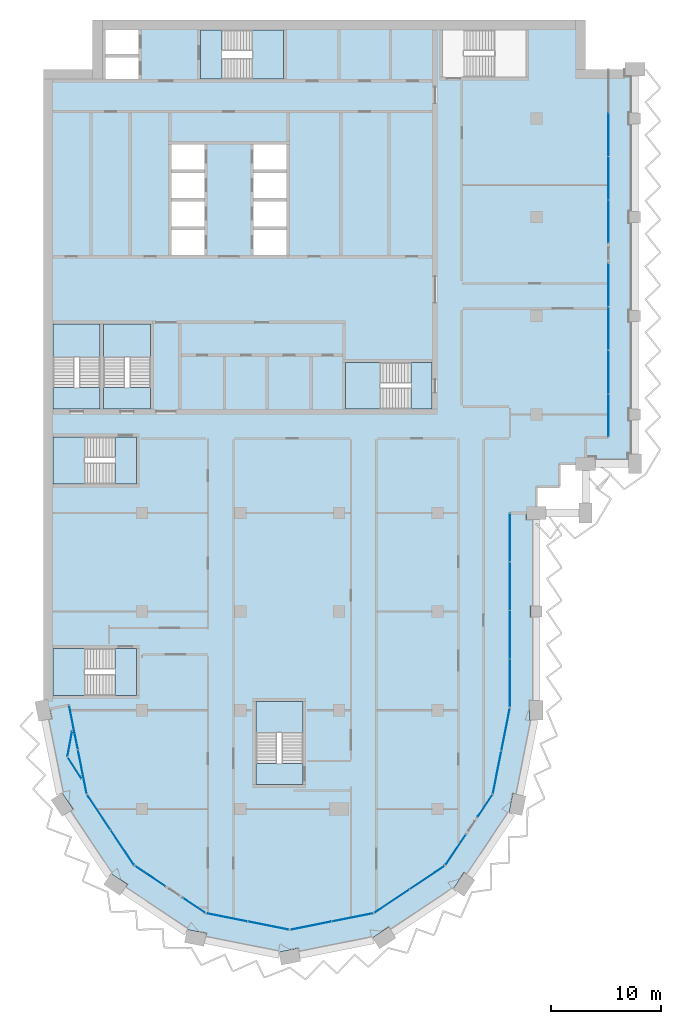
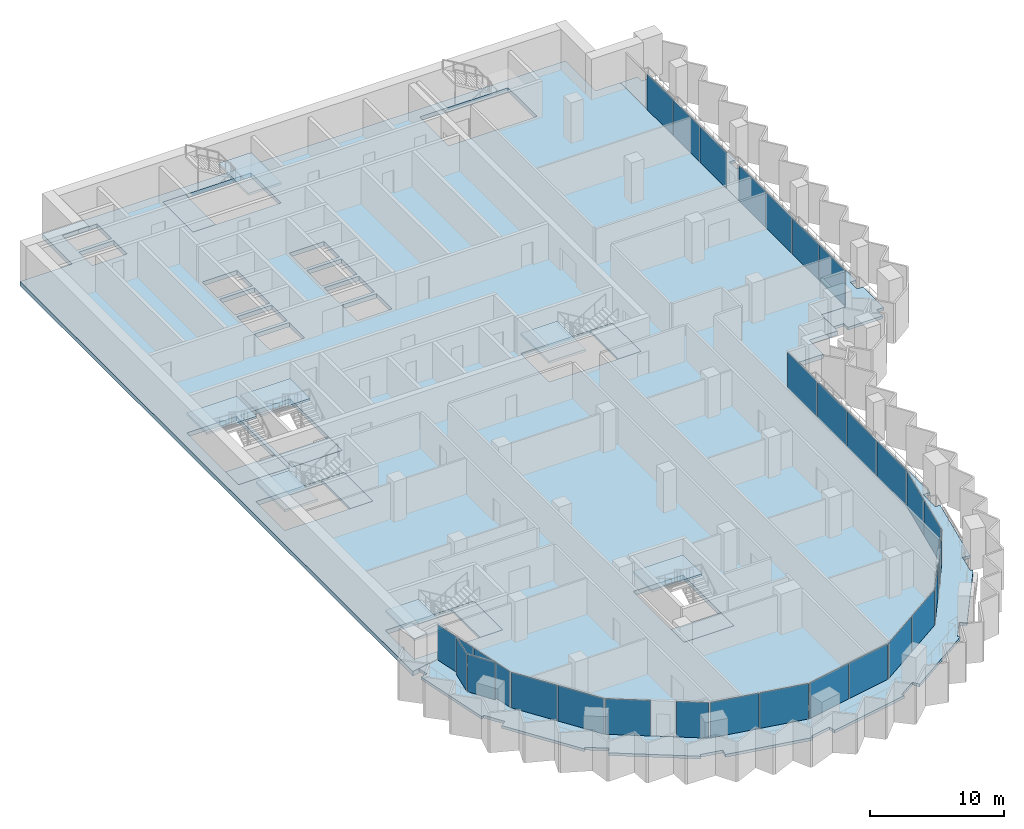
# One storey, part 7 of 19: 29 plates, 17 slabs, 22 elements without a shape of their own.
"""IFC4 building model written with IfcOpenShell, lengths in metres."""

from ifc_helpers import new_model, si_unit, direction, frame, origin, origin_2d, place, context, subcontext, project, spatial, polyline, rectangle, outline, extrude, material, layer, layer_set, type_object, element, aggregate, save


model = new_model("IFC4")

# Units and contexts
model_context = context("Model", 3, precision=1e-05, world=origin(), true_north=direction((0.0, 1.0)))
body_context = subcontext(model_context, "Body", "Model", "MODEL_VIEW")
ifc_project = project(units=[si_unit("LENGTHUNIT", "METRE"), si_unit("AREAUNIT", "SQUARE_METRE"), si_unit("VOLUMEUNIT", "CUBIC_METRE"), si_unit("PLANEANGLEUNIT", "RADIAN"), si_unit("MASSUNIT", "GRAM", prefix="KILO")], contexts=[model_context])

# Site, building, storey
site_placement = place(None, origin())
site = spatial("IfcSite", under=ifc_project, at=site_placement, CompositionType="ELEMENT")
building_placement = place(site_placement, origin())
building = spatial("IfcBuilding", under=site, at=building_placement, Name="Hunhe Ridgeline Campus", CompositionType="ELEMENT")
storey_placement = place(building_placement, frame((0.0, 0.0, 216.10009765625)))
storey = spatial("IfcBuildingStorey", under=building, at=storey_placement, Name="L55", CompositionType="ELEMENT", Elevation=216.10009765625)

# Curtain wall, plates
ifc_material_1 = material(Name="Aluminium 6063", Category="aluminium")
curtain_wall_type_1 = type_object("IfcCurtainWallType", Name="Curtain wall CW-5", PredefinedType="NOTDEFINED", material=ifc_material_1)
curtain_wall_1_placement = place(storey_placement, origin())
curtain_wall_1 = element("IfcCurtainWall", 1, at=curtain_wall_1_placement, inside=storey, type_object=curtain_wall_type_1, Name="Curtain wall 01", PredefinedType="NOTDEFINED")
ifc_material_2 = material(Name="Low-e laminated glass", Category="glass")
ifc_layer_1 = layer(ifc_material_2, 0.028076171875)
ifc_layer_set_1 = layer_set([ifc_layer_1], Name="Curtain wall glass panel 28 low-e laminated")
plate_type = type_object("IfcPlateType", Name="Curtain wall glass panel 28 low-e laminated", PredefinedType="CURTAIN_PANEL", material=ifc_layer_set_1)
plate_1_placement = place(storey_placement, frame((2.76318359375, 34.416015625, 0.0), z_axis=(0.0, 0.0, 1.0), x_axis=(0.195095347137, -0.980784280831, 0.0)))
plate_1 = element("IfcPlate", 2, at=plate_1_placement, type_object=plate_type, Name="CW-5 panel 1", PredefinedType="CURTAIN_PANEL", context=body_context, shape_type="SweptSolid", body=[
    extrude(rectangle(XDim=4.0458984375, YDim=0.028076171875, at=origin_2d()), origin(), (0.0, 0.0, 1.0), 3.22998046875),
])
plate_2_placement = place(storey_placement, frame((3.566162109375, 30.379150390625, 0.0), z_axis=(0.0, 0.0, 1.0), x_axis=(0.195095347137, -0.980784280831, 0.0)))
plate_2 = element("IfcPlate", 3, at=plate_2_placement, type_object=plate_type, Name="CW-5 panel 2", PredefinedType="CURTAIN_PANEL", context=body_context, shape_type="SweptSolid", body=[
    extrude(rectangle(XDim=4.0458984375, YDim=0.028076171875, at=origin_2d()), origin(), (0.0, 0.0, 1.0), 3.22998046875),
])
aggregate(curtain_wall_1, [plate_1, plate_2])

# Curtain wall, plate
curtain_wall_type_2 = type_object("IfcCurtainWallType", Name="Curtain wall CW-2", PredefinedType="NOTDEFINED", material=ifc_material_1)
curtain_wall_2_placement = place(storey_placement, origin())
curtain_wall_2 = element("IfcCurtainWall", 4, at=curtain_wall_2_placement, inside=storey, type_object=curtain_wall_type_2, Name="Curtain wall B01a", PredefinedType="NOTDEFINED")
plate_3_placement = place(storey_placement, frame((2.4248046875, 32.938720703125, 0.0), z_axis=(0.0, 0.0, 1.0), x_axis=(-0.183112559813, -0.983091954213, 0.0)))
plate_3 = element("IfcPlate", 5, at=plate_3_placement, type_object=plate_type, Name="CW-2 panel 1", PredefinedType="CURTAIN_PANEL", context=body_context, shape_type="SweptSolid", body=[
    extrude(rectangle(XDim=2.30322265625, YDim=0.028076171875, at=origin_2d()), origin(), (0.0, 0.0, 1.0), 3.389892578125),
])
aggregate(curtain_wall_2, [plate_3])

curtain_wall_3_placement = place(storey_placement, origin())
curtain_wall_3 = element("IfcCurtainWall", 6, at=curtain_wall_3_placement, inside=storey, type_object=curtain_wall_type_2, Name="Curtain wall B01b", PredefinedType="NOTDEFINED")
plate_4_placement = place(storey_placement, frame((2.86376953125, 30.73193359375, 0.0), z_axis=(0.0, 0.0, 1.0), x_axis=(0.545395474403, -0.838178845176, 0.0)))
plate_4 = element("IfcPlate", 7, at=plate_4_placement, type_object=plate_type, Name="CW-2 panel 1", PredefinedType="CURTAIN_PANEL", context=body_context, shape_type="SweptSolid", body=[
    extrude(rectangle(XDim=2.30322265625, YDim=0.028076171875, at=origin_2d()), origin(), (0.0, 0.0, 1.0), 3.389892578125),
])
aggregate(curtain_wall_3, [plate_4])

# Curtain wall, plates
curtain_wall_4_placement = place(storey_placement, origin())
curtain_wall_4 = element("IfcCurtainWall", 8, at=curtain_wall_4_placement, inside=storey, type_object=curtain_wall_type_1, Name="Curtain wall 02", PredefinedType="NOTDEFINED")
plate_5_placement = place(storey_placement, frame((5.07080078125, 26.685546875, 0.0), z_axis=(0.0, 0.0, 1.0), x_axis=(0.555570274596, -0.831469584522, 0.0)))
plate_5 = element("IfcPlate", 9, at=plate_5_placement, type_object=plate_type, Name="CW-5 panel 1", PredefinedType="CURTAIN_PANEL", context=body_context, shape_type="SweptSolid", body=[
    extrude(rectangle(XDim=3.806884765625, YDim=0.028076171875, at=origin_2d()), origin(), (0.0, 0.0, 1.0), 3.22998046875),
])
plate_6_placement = place(storey_placement, frame((7.224609375, 23.4619140625, 0.0), z_axis=(0.0, 0.0, 1.0), x_axis=(0.555570274596, -0.831469584522, 0.0)))
plate_6 = element("IfcPlate", 10, at=plate_6_placement, type_object=plate_type, Name="CW-5 panel 2", PredefinedType="CURTAIN_PANEL", context=body_context, shape_type="SweptSolid", body=[
    extrude(rectangle(XDim=3.806884765625, YDim=0.028076171875, at=origin_2d()), origin(), (0.0, 0.0, 1.0), 3.22998046875),
])
aggregate(curtain_wall_4, [plate_5, plate_6])

# Curtain wall, plate
curtain_wall_5_placement = place(storey_placement, origin())
curtain_wall_5 = element("IfcCurtainWall", 11, at=curtain_wall_5_placement, inside=storey, type_object=curtain_wall_type_1, Name="Curtain wall 03", PredefinedType="NOTDEFINED")
plate_7_placement = place(storey_placement, frame((9.76025390625, 20.859375, 0.0), z_axis=(0.0, 0.0, 1.0), x_axis=(0.831469595944, -0.555570257501, 0.0)))
plate_7 = element("IfcPlate", 12, at=plate_7_placement, type_object=plate_type, Name="CW-5 panel 1", PredefinedType="CURTAIN_PANEL", context=body_context, shape_type="SweptSolid", body=[
    extrude(rectangle(XDim=3.322021484375, YDim=0.028076171875, at=origin_2d()), origin(), (0.0, 0.0, 1.0), 3.22998046875),
])
aggregate(curtain_wall_5, [plate_7])

curtain_wall_6_placement = place(storey_placement, origin())
curtain_wall_6 = element("IfcCurtainWall", 13, at=curtain_wall_6_placement, inside=storey, type_object=curtain_wall_type_1, Name="Curtain wall 04", PredefinedType="NOTDEFINED")
plate_8_placement = place(storey_placement, frame((13.761474609375, 18.18603515625, 0.0), z_axis=(0.0, 0.0, 1.0), x_axis=(0.831469510353, -0.555570385598, 0.0)))
plate_8 = element("IfcPlate", 14, at=plate_8_placement, type_object=plate_type, Name="CW-5 panel 1", PredefinedType="CURTAIN_PANEL", context=body_context, shape_type="SweptSolid", body=[
    extrude(rectangle(XDim=2.421875, YDim=0.028076171875, at=origin_2d()), origin(), (0.0, 0.0, 1.0), 3.22998046875),
])
aggregate(curtain_wall_6, [plate_8])

# Curtain wall, plates
curtain_wall_7_placement = place(storey_placement, origin())
curtain_wall_7 = element("IfcCurtainWall", 15, at=curtain_wall_7_placement, inside=storey, type_object=curtain_wall_type_1, Name="Curtain wall 05", PredefinedType="NOTDEFINED")
plate_9_placement = place(storey_placement, frame((16.761962890625, 17.08935546875, 0.0), z_axis=(0.0, 0.0, 1.0), x_axis=(0.980785275326, -0.195090347539, 0.0)))
plate_9 = element("IfcPlate", 16, at=plate_9_placement, type_object=plate_type, Name="CW-5 panel 1", PredefinedType="CURTAIN_PANEL", context=body_context, shape_type="SweptSolid", body=[
    extrude(rectangle(XDim=3.806884765625, YDim=0.028076171875, at=origin_2d()), origin(), (0.0, 0.0, 1.0), 3.22998046875),
])
plate_10_placement = place(storey_placement, frame((20.564453125, 16.3330078125, 0.0), z_axis=(0.0, 0.0, 1.0), x_axis=(0.980785275326, -0.195090347539, 0.0)))
plate_10 = element("IfcPlate", 17, at=plate_10_placement, type_object=plate_type, Name="CW-5 panel 2", PredefinedType="CURTAIN_PANEL", context=body_context, shape_type="SweptSolid", body=[
    extrude(rectangle(XDim=3.806884765625, YDim=0.028076171875, at=origin_2d()), origin(), (0.0, 0.0, 1.0), 3.22998046875),
])
aggregate(curtain_wall_7, [plate_9, plate_10])

curtain_wall_8_placement = place(storey_placement, origin())
curtain_wall_8 = element("IfcCurtainWall", 18, at=curtain_wall_8_placement, inside=storey, type_object=curtain_wall_type_1, Name="Curtain wall 06", PredefinedType="NOTDEFINED")
plate_11_placement = place(storey_placement, frame((24.435546875, 16.3330078125, 0.0), z_axis=(0.0, 0.0, 1.0), x_axis=(0.980785275326, 0.195090347539, 0.0)))
plate_11 = element("IfcPlate", 19, at=plate_11_placement, type_object=plate_type, Name="CW-5 panel 1", PredefinedType="CURTAIN_PANEL", context=body_context, shape_type="SweptSolid", body=[
    extrude(rectangle(XDim=3.806884765625, YDim=0.028076171875, at=origin_2d()), origin(), (0.0, 0.0, 1.0), 3.22998046875),
])
plate_12_placement = place(storey_placement, frame((28.238037109375, 17.08935546875, 0.0), z_axis=(0.0, 0.0, 1.0), x_axis=(0.980785275326, 0.195090347539, 0.0)))
plate_12 = element("IfcPlate", 20, at=plate_12_placement, type_object=plate_type, Name="CW-5 panel 2", PredefinedType="CURTAIN_PANEL", context=body_context, shape_type="SweptSolid", body=[
    extrude(rectangle(XDim=3.806884765625, YDim=0.028076171875, at=origin_2d()), origin(), (0.0, 0.0, 1.0), 3.22998046875),
])
aggregate(curtain_wall_8, [plate_11, plate_12])

curtain_wall_9_placement = place(storey_placement, origin())
curtain_wall_9 = element("IfcCurtainWall", 21, at=curtain_wall_9_placement, inside=storey, type_object=curtain_wall_type_1, Name="Curtain wall 07", PredefinedType="NOTDEFINED")
plate_13_placement = place(storey_placement, frame((31.814453125, 18.57080078125, 0.0), z_axis=(0.0, 0.0, 1.0), x_axis=(0.831469584522, 0.555570274596, 0.0)))
plate_13 = element("IfcPlate", 22, at=plate_13_placement, type_object=plate_type, Name="CW-5 panel 1", PredefinedType="CURTAIN_PANEL", context=body_context, shape_type="SweptSolid", body=[
    extrude(rectangle(XDim=3.806884765625, YDim=0.028076171875, at=origin_2d()), origin(), (0.0, 0.0, 1.0), 3.22998046875),
])
plate_14_placement = place(storey_placement, frame((35.0380859375, 20.724609375, 0.0), z_axis=(0.0, 0.0, 1.0), x_axis=(0.831469584522, 0.555570274596, 0.0)))
plate_14 = element("IfcPlate", 23, at=plate_14_placement, type_object=plate_type, Name="CW-5 panel 2", PredefinedType="CURTAIN_PANEL", context=body_context, shape_type="SweptSolid", body=[
    extrude(rectangle(XDim=3.806884765625, YDim=0.028076171875, at=origin_2d()), origin(), (0.0, 0.0, 1.0), 3.22998046875),
])
aggregate(curtain_wall_9, [plate_13, plate_14])

# Curtain wall, plate
curtain_wall_10_placement = place(storey_placement, origin())
curtain_wall_10 = element("IfcCurtainWall", 24, at=curtain_wall_10_placement, inside=storey, type_object=curtain_wall_type_1, Name="Curtain wall 08", PredefinedType="NOTDEFINED")
plate_15_placement = place(storey_placement, frame((37.640625, 23.26025390625, 0.0), z_axis=(0.0, 0.0, 1.0), x_axis=(0.555570257501, 0.831469595944, 0.0)))
plate_15 = element("IfcPlate", 25, at=plate_15_placement, type_object=plate_type, Name="CW-5 panel 1", PredefinedType="CURTAIN_PANEL", context=body_context, shape_type="SweptSolid", body=[
    extrude(rectangle(XDim=3.322021484375, YDim=0.028076171875, at=origin_2d()), origin(), (0.0, 0.0, 1.0), 3.22998046875),
])
aggregate(curtain_wall_10, [plate_15])

curtain_wall_11_placement = place(storey_placement, origin())
curtain_wall_11 = element("IfcCurtainWall", 26, at=curtain_wall_11_placement, inside=storey, type_object=curtain_wall_type_1, Name="Curtain wall 09", PredefinedType="NOTDEFINED")
plate_16_placement = place(storey_placement, frame((40.31396484375, 27.261474609375, 0.0), z_axis=(0.0, 0.0, 1.0), x_axis=(0.555570385598, 0.831469510353, 0.0)))
plate_16 = element("IfcPlate", 27, at=plate_16_placement, type_object=plate_type, Name="CW-5 panel 1", PredefinedType="CURTAIN_PANEL", context=body_context, shape_type="SweptSolid", body=[
    extrude(rectangle(XDim=2.421875, YDim=0.028076171875, at=origin_2d()), origin(), (0.0, 0.0, 1.0), 3.22998046875),
])
aggregate(curtain_wall_11, [plate_16])

# Curtain wall, plates
curtain_wall_12_placement = place(storey_placement, origin())
curtain_wall_12 = element("IfcCurtainWall", 28, at=curtain_wall_12_placement, inside=storey, type_object=curtain_wall_type_1, Name="Curtain wall 10", PredefinedType="NOTDEFINED")
plate_17_placement = place(storey_placement, frame((41.42236328125, 30.321044921875, 0.0), z_axis=(0.0, 0.0, 1.0), x_axis=(0.195090299215, 0.980785284939, 0.0)))
plate_17 = element("IfcPlate", 29, at=plate_17_placement, type_object=plate_type, Name="CW-5 panel 1", PredefinedType="CURTAIN_PANEL", context=body_context, shape_type="SweptSolid", body=[
    extrude(rectangle(XDim=3.927490234375, YDim=0.028076171875, at=origin_2d()), origin(), (0.0, 0.0, 1.0), 3.22998046875),
])
plate_18_placement = place(storey_placement, frame((42.2021484375, 34.24169921875, 0.0), z_axis=(0.0, 0.0, 1.0), x_axis=(0.195090299215, 0.980785284939, 0.0)))
plate_18 = element("IfcPlate", 30, at=plate_18_placement, type_object=plate_type, Name="CW-5 panel 2", PredefinedType="CURTAIN_PANEL", context=body_context, shape_type="SweptSolid", body=[
    extrude(rectangle(XDim=3.927490234375, YDim=0.028076171875, at=origin_2d()), origin(), (0.0, 0.0, 1.0), 3.22998046875),
])
aggregate(curtain_wall_12, [plate_17, plate_18])

curtain_wall_type_3 = type_object("IfcCurtainWallType", Name="Curtain wall CW-1", PredefinedType="NOTDEFINED", material=ifc_material_1)
curtain_wall_13_placement = place(storey_placement, origin())
curtain_wall_13 = element("IfcCurtainWall", 31, at=curtain_wall_13_placement, inside=storey, type_object=curtain_wall_type_3, Name="Curtain wall 11", PredefinedType="NOTDEFINED")
plate_19_placement = place(storey_placement, frame((42.59912109375, 38.471923828125, 0.0), z_axis=(0.0, 0.0, 1.0), x_axis=(6.642653e-06, 0.999999999978, 0.0)))
plate_19 = element("IfcPlate", 32, at=plate_19_placement, type_object=plate_type, Name="CW-1 panel 1", PredefinedType="CURTAIN_PANEL", context=body_context, shape_type="SweptSolid", body=[
    extrude(rectangle(XDim=4.35107421875, YDim=0.028076171875, at=origin_2d()), origin(), (0.0, 0.0, 1.0), 3.239990234375),
])
plate_20_placement = place(storey_placement, frame((42.59912109375, 42.89794921875, 0.0), z_axis=(0.0, 0.0, 1.0), x_axis=(6.642653e-06, 0.999999999978, 0.0)))
plate_20 = element("IfcPlate", 33, at=plate_20_placement, type_object=plate_type, Name="CW-1 panel 2", PredefinedType="CURTAIN_PANEL", context=body_context, shape_type="SweptSolid", body=[
    extrude(rectangle(XDim=4.381103515625, YDim=0.028076171875, at=origin_2d()), origin(), (0.0, 0.0, 1.0), 3.239990234375),
])
plate_21_placement = place(storey_placement, frame((42.59912109375, 47.3388671875, 0.0), z_axis=(0.0, 0.0, 1.0), x_axis=(6.642653e-06, 0.999999999978, 0.0)))
plate_21 = element("IfcPlate", 34, at=plate_21_placement, type_object=plate_type, Name="CW-1 panel 3", PredefinedType="CURTAIN_PANEL", context=body_context, shape_type="SweptSolid", body=[
    extrude(rectangle(XDim=4.381103515625, YDim=0.028076171875, at=origin_2d()), origin(), (0.0, 0.0, 1.0), 3.239990234375),
])
plate_22_placement = place(storey_placement, frame((42.59912109375, 51.764892578125, 0.0), z_axis=(0.0, 0.0, 1.0), x_axis=(6.642653e-06, 0.999999999978, 0.0)))
plate_22 = element("IfcPlate", 35, at=plate_22_placement, type_object=plate_type, Name="CW-1 panel 4", PredefinedType="CURTAIN_PANEL", context=body_context, shape_type="SweptSolid", body=[
    extrude(rectangle(XDim=4.35107421875, YDim=0.028076171875, at=origin_2d()), origin(), (0.0, 0.0, 1.0), 3.239990234375),
])
aggregate(curtain_wall_13, [plate_19, plate_20, plate_21, plate_22])

curtain_wall_14_placement = place(storey_placement, origin())
curtain_wall_14 = element("IfcCurtainWall", 36, at=curtain_wall_14_placement, inside=storey, type_object=curtain_wall_type_3, Name="Curtain wall 12", PredefinedType="NOTDEFINED")
plate_23_placement = place(storey_placement, frame((51.59912109375, 62.9033203125, 0.0), z_axis=(0.0, 0.0, 1.0), x_axis=(0.0, 1.0, 0.0)))
plate_23 = element("IfcPlate", 37, at=plate_23_placement, type_object=plate_type, Name="CW-1 panel 1", PredefinedType="CURTAIN_PANEL", context=body_context, shape_type="SweptSolid", body=[
    extrude(rectangle(XDim=3.884765625, YDim=0.028076171875, at=origin_2d()), origin(), (0.0, 0.0, 1.0), 3.239990234375),
])
plate_24_placement = place(storey_placement, frame((51.59912109375, 66.86328125, 0.0), z_axis=(0.0, 0.0, 1.0), x_axis=(0.0, 1.0, 0.0)))
plate_24 = element("IfcPlate", 38, at=plate_24_placement, type_object=plate_type, Name="CW-1 panel 2", PredefinedType="CURTAIN_PANEL", context=body_context, shape_type="SweptSolid", body=[
    extrude(rectangle(XDim=3.914794921875, YDim=0.028076171875, at=origin_2d()), origin(), (0.0, 0.0, 1.0), 3.239990234375),
])
plate_25_placement = place(storey_placement, frame((51.59912109375, 70.838134765625, 0.0), z_axis=(0.0, 0.0, 1.0), x_axis=(0.0, 1.0, 0.0)))
plate_25 = element("IfcPlate", 39, at=plate_25_placement, type_object=plate_type, Name="CW-1 panel 3", PredefinedType="CURTAIN_PANEL", context=body_context, shape_type="SweptSolid", body=[
    extrude(rectangle(XDim=3.914794921875, YDim=0.028076171875, at=origin_2d()), origin(), (0.0, 0.0, 1.0), 3.239990234375),
])
plate_26_placement = place(storey_placement, frame((51.59912109375, 74.798095703125, 0.0), z_axis=(0.0, 0.0, 1.0), x_axis=(0.0, 1.0, 0.0)))
plate_26 = element("IfcPlate", 40, at=plate_26_placement, type_object=plate_type, Name="CW-1 panel 4", PredefinedType="CURTAIN_PANEL", context=body_context, shape_type="SweptSolid", body=[
    extrude(rectangle(XDim=3.884765625, YDim=0.028076171875, at=origin_2d()), origin(), (0.0, 0.0, 1.0), 3.239990234375),
])
aggregate(curtain_wall_14, [plate_23, plate_24, plate_25, plate_26])

curtain_wall_15_placement = place(storey_placement, origin())
curtain_wall_15 = element("IfcCurtainWall", 41, at=curtain_wall_15_placement, inside=storey, type_object=curtain_wall_type_3, Name="Curtain wall 13", PredefinedType="NOTDEFINED")
plate_27_placement = place(storey_placement, frame((51.59912109375, 80.60302734375, 0.0), z_axis=(0.0, 0.0, 1.0), x_axis=(0.0, 1.0, 0.0)))
plate_27 = element("IfcPlate", 42, at=plate_27_placement, type_object=plate_type, Name="CW-1 panel 1", PredefinedType="CURTAIN_PANEL", context=body_context, shape_type="SweptSolid", body=[
    extrude(rectangle(XDim=3.884765625, YDim=0.028076171875, at=origin_2d()), origin(), (0.0, 0.0, 1.0), 3.239990234375),
])
plate_28_placement = place(storey_placement, frame((51.59912109375, 84.562744140625, 0.0), z_axis=(0.0, 0.0, 1.0), x_axis=(0.0, 1.0, 0.0)))
plate_28 = element("IfcPlate", 43, at=plate_28_placement, type_object=plate_type, Name="CW-1 panel 2", PredefinedType="CURTAIN_PANEL", context=body_context, shape_type="SweptSolid", body=[
    extrude(rectangle(XDim=3.914794921875, YDim=0.028076171875, at=origin_2d()), origin(), (0.0, 0.0, 1.0), 3.239990234375),
])
plate_29_placement = place(storey_placement, frame((51.59912109375, 88.53759765625, 0.0), z_axis=(0.0, 0.0, 1.0), x_axis=(0.0, 1.0, 0.0)))
plate_29 = element("IfcPlate", 44, at=plate_29_placement, type_object=plate_type, Name="CW-1 panel 3", PredefinedType="CURTAIN_PANEL", context=body_context, shape_type="SweptSolid", body=[
    extrude(rectangle(XDim=3.914794921875, YDim=0.028076171875, at=origin_2d()), origin(), (0.0, 0.0, 1.0), 3.239990234375),
])
aggregate(curtain_wall_15, [plate_27, plate_28, plate_29])

# Slabs
ifc_material_3 = material(Name="Concrete C40", Category="concrete")
ifc_layer_2 = layer(ifc_material_3, 0.39990234375)
ifc_layer_set_2 = layer_set([ifc_layer_2], Name="Floor slab 400 Concrete C40")
slab_type_1 = type_object("IfcSlabType", Name="Floor slab 400 Concrete C40", PredefinedType="FLOOR", material=ifc_layer_set_2)
slab_1_placement = place(storey_placement, frame((0.0, 0.0, -0.400146484375)))
element("IfcSlab", 45, at=slab_1_placement, inside=storey, type_object=slab_type_1, Name="Floor slab L55 1", PredefinedType="FLOOR", context=body_context, shape_type="SweptSolid", body=[
    extrude(outline(polyline([(30.173583984375, 17.474365234375), (36.678955078125, 21.821044921875), (41.025634765625, 28.326416015625), (42.59912109375, 36.236572265625), (42.59912109375, 54.00048828125), (44.9990234375, 54.0009765625), (44.999267578125, 56.400634765625), (47.09912109375, 56.40087890625), (47.099609375, 58.5009765625), (49.4990234375, 58.5009765625), (49.49951171875, 60.90087890625), (51.59912109375, 60.90087890625), (51.59912109375, 94.5), (49.5, 94.5), (49.5, 99.0), (4.5, 99.0), (4.5, 94.5), (0.0, 94.5), (0.0, 36.0009765625), (2.354736328125, 36.46875), (3.974365234375, 28.326416015625), (8.321044921875, 21.821044921875), (14.826416015625, 17.474365234375), (22.5, 15.947998046875), (30.173583984375, 17.474365234375)]), holes=[polyline([(36.449951171875, 93.800048828125), (44.050048828125, 93.800048828125), (44.050048828125, 98.10009765625), (36.449951171875, 98.10009765625), (36.449951171875, 93.800048828125)]), polyline([(35.5, 63.5), (35.5, 67.75), (27.60009765625, 67.75), (27.60009765625, 63.5), (35.5, 63.5)]), polyline([(19.39990234375, 29.199951171875), (23.699951171875, 29.199951171875), (23.699951171875, 36.800048828125), (19.39990234375, 36.800048828125), (19.39990234375, 29.199951171875)]), polyline([(22.199951171875, 80.14990234375), (22.199951171875, 82.449951171875), (19.199951171875, 82.449951171875), (19.199951171875, 80.14990234375), (22.199951171875, 80.14990234375)]), polyline([(22.199951171875, 79.85009765625), (19.199951171875, 79.85009765625), (19.199951171875, 77.550048828125), (22.199951171875, 77.550048828125), (22.199951171875, 79.85009765625)]), polyline([(19.199951171875, 87.64990234375), (19.199951171875, 85.35009765625), (22.199951171875, 85.35009765625), (22.199951171875, 87.64990234375), (19.199951171875, 87.64990234375)]), polyline([(19.199951171875, 82.75), (22.199951171875, 82.75), (22.199951171875, 85.050048828125), (19.199951171875, 85.050048828125), (19.199951171875, 82.75)]), polyline([(14.35009765625, 93.60009765625), (21.949951171875, 93.60009765625), (21.949951171875, 98.10009765625), (14.35009765625, 98.10009765625), (14.35009765625, 93.60009765625)]), polyline([(14.699951171875, 79.85009765625), (11.699951171875, 79.85009765625), (11.699951171875, 77.550048828125), (14.699951171875, 77.550048828125), (14.699951171875, 79.85009765625)]), polyline([(14.699951171875, 80.14990234375), (14.699951171875, 82.449951171875), (11.699951171875, 82.449951171875), (11.699951171875, 80.14990234375), (14.699951171875, 80.14990234375)]), polyline([(11.699951171875, 87.64990234375), (11.699951171875, 85.35009765625), (14.699951171875, 85.35009765625), (14.699951171875, 87.64990234375), (11.699951171875, 87.64990234375)]), polyline([(11.699951171875, 82.75), (14.699951171875, 82.75), (14.699951171875, 85.050048828125), (11.699951171875, 85.050048828125), (11.699951171875, 82.75)]), polyline([(9.800048828125, 71.25), (5.5, 71.25), (5.5, 63.5), (9.800048828125, 63.5), (9.800048828125, 71.25)]), polyline([(8.699951171875, 95.89990234375), (8.699951171875, 98.10009765625), (5.699951171875, 98.10009765625), (5.699951171875, 95.89990234375), (8.699951171875, 95.89990234375)]), polyline([(8.699951171875, 95.60009765625), (5.699951171875, 95.60009765625), (5.699951171875, 93.60009765625), (8.699951171875, 93.60009765625), (8.699951171875, 95.60009765625)]), polyline([(0.89990234375, 37.35009765625), (8.5, 37.35009765625), (8.5, 41.64990234375), (0.89990234375, 41.64990234375), (0.89990234375, 37.35009765625)]), polyline([(0.89990234375, 60.949951171875), (0.89990234375, 56.64990234375), (8.5, 56.64990234375), (8.5, 60.949951171875), (0.89990234375, 60.949951171875)]), polyline([(0.89990234375, 71.25), (0.89990234375, 63.5), (5.199951171875, 63.5), (5.199951171875, 71.25), (0.89990234375, 71.25)])]), origin(), (0.0, 0.0, 1.0), 0.400146484375),
])
ifc_layer_3 = layer(ifc_material_3, 0.25)
ifc_layer_set_3 = layer_set([ifc_layer_3], Name="Loggia slab 250 Concrete C40")
slab_type_2 = type_object("IfcSlabType", Name="Loggia slab 250 Concrete C40", PredefinedType="FLOOR", material=ifc_layer_set_3)
slab_2_placement = place(storey_placement, frame((0.0, 0.0, -0.25)))
element("IfcSlab", 46, at=slab_2_placement, inside=storey, type_object=slab_type_2, Name="Loggia slab 1", PredefinedType="FLOOR", context=body_context, shape_type="SweptSolid", body=[
    extrude(outline(polyline([(30.173828125, 17.473388671875), (22.5, 15.947021484375), (14.826171875, 17.473388671875), (8.3203125, 21.8203125), (3.973388671875, 28.326171875), (2.35400390625, 36.46826171875), (0.58837890625, 36.116943359375), (0.76416015625, 35.234375), (0.175537109375, 35.1171875), (1.522705078125, 28.344970703125), (1.711669921875, 28.47119140625), (2.711669921875, 26.974609375), (2.212646484375, 26.641357421875), (6.048828125, 20.900146484375), (6.175048828125, 21.089111328125), (7.671875, 20.0888671875), (7.33837890625, 19.590087890625), (13.07958984375, 15.75390625), (13.1240234375, 15.976806640625), (14.889404296875, 15.62548828125), (14.772216796875, 15.037109375), (21.544677734375, 13.68994140625), (21.500244140625, 13.912841796875), (23.265625, 14.26416015625), (23.3828125, 13.675537109375), (30.155029296875, 15.022705078125), (30.02880859375, 15.211669921875), (31.525390625, 16.211669921875), (31.858642578125, 15.712646484375), (37.599853515625, 19.548828125), (37.410888671875, 19.675048828125), (38.4111328125, 21.171875), (38.909912109375, 20.83837890625), (42.74609375, 26.57958984375), (42.523193359375, 26.6240234375), (42.87451171875, 28.389404296875), (43.462890625, 28.272216796875), (44.821044921875, 35.10009765625), (44.39990234375, 35.10009765625), (44.39990234375, 36.89990234375), (45.0, 36.89990234375), (45.0, 44.5), (44.5, 44.5), (44.5, 45.5), (45.0, 45.5), (45.0, 53.39990234375), (44.10009765625, 53.39990234375), (44.10009765625, 54.0), (42.60009765625, 54.0), (42.60009765625, 36.236328125), (41.026611328125, 28.326171875), (36.6796875, 21.8203125), (30.173828125, 17.473388671875)])), origin(), (0.0, 0.0, 1.0), 0.25),
])
slab_3_placement = place(storey_placement, frame((0.0, 0.0, -0.25)))
element("IfcSlab", 47, at=slab_3_placement, inside=storey, type_object=slab_type_2, Name="Loggia slab 2", PredefinedType="FLOOR", context=body_context, shape_type="SweptSolid", body=[
    extrude(outline(polyline([(49.5, 59.10009765625), (50.39990234375, 59.10009765625), (50.39990234375, 58.5), (53.39990234375, 58.5), (53.39990234375, 59.39990234375), (54.0, 59.39990234375), (54.0, 62.5), (53.5, 62.5), (53.5, 63.5), (54.0, 63.5), (54.0, 71.5), (53.5, 71.5), (53.5, 72.5), (54.0, 72.5), (54.0, 80.5), (53.5, 80.5), (53.5, 81.5), (54.0, 81.5), (54.0, 89.5), (53.5, 89.5), (53.5, 90.5), (54.0, 90.5), (54.0, 93.89990234375), (53.10009765625, 93.89990234375), (53.10009765625, 94.5), (51.60009765625, 94.5), (51.60009765625, 60.89990234375), (49.5, 60.89990234375), (49.5, 59.10009765625)])), origin(), (0.0, 0.0, 1.0), 0.25),
])

# Stair, slab
stair_type = type_object("IfcStairType", Name="Reinforced concrete dog-leg stair 1950 Concrete C40", PredefinedType="HALF_TURN_STAIR", material=ifc_material_3)
stair_1_placement = place(storey_placement, origin())
stair_1 = element("IfcStair", 48, at=stair_1_placement, inside=storey, type_object=stair_type, Name="L55 S1", PredefinedType="HALF_TURN_STAIR")
ifc_layer_4 = layer(ifc_material_3, 0.199951171875)
ifc_layer_set_4 = layer_set([ifc_layer_4], Name="Reinforced concrete stair landing 200 Concrete C40")
slab_type_3 = type_object("IfcSlabType", Name="Reinforced concrete stair landing 200 Concrete C40", PredefinedType="LANDING", material=ifc_layer_set_4)
slab_4_placement = place(storey_placement, frame((0.0, 0.0, 1.64990234375)))
slab_4 = element("IfcSlab", 49, at=slab_4_placement, type_object=slab_type_3, Name="ST1 landing 1", PredefinedType="LANDING", context=body_context, shape_type="SweptSolid", body=[
    extrude(outline(polyline([(19.10009765625, 93.60009765625), (21.949951171875, 93.60009765625), (21.949951171875, 98.10009765625), (19.10009765625, 98.10009765625), (19.10009765625, 93.60009765625)])), origin(), (0.0, 0.0, 1.0), 0.199951171875),
])
aggregate(stair_1, [slab_4])

# Slab
slab_5_placement = place(storey_placement, frame((0.0, 0.0, -0.2001953125)))
element("IfcSlab", 50, at=slab_5_placement, inside=storey, type_object=slab_type_3, Name="L55 stair S1 floor landing", PredefinedType="LANDING", context=body_context, shape_type="SweptSolid", body=[
    extrude(outline(polyline([(14.35009765625, 93.60009765625), (16.300048828125, 93.60009765625), (16.300048828125, 98.10009765625), (14.35009765625, 98.10009765625), (14.35009765625, 93.60009765625)])), origin(), (0.0, 0.0, 1.0), 0.2001953125),
])

# Stair, slab
stair_2_placement = place(storey_placement, origin())
stair_2 = element("IfcStair", 51, at=stair_2_placement, inside=storey, type_object=stair_type, Name="L55 S2", PredefinedType="HALF_TURN_STAIR")
slab_6_placement = place(storey_placement, frame((0.0, 0.0, 1.64990234375)))
slab_6 = element("IfcSlab", 52, at=slab_6_placement, type_object=slab_type_3, Name="ST2 landing 1", PredefinedType="LANDING", context=body_context, shape_type="SweptSolid", body=[
    extrude(outline(polyline([(30.75, 67.75), (27.60009765625, 67.75), (27.60009765625, 63.5), (30.75, 63.5), (30.75, 67.75)])), origin(), (0.0, 0.0, 1.0), 0.199951171875),
])
aggregate(stair_2, [slab_6])

# Slab
slab_7_placement = place(storey_placement, frame((0.0, 0.0, -0.2001953125)))
element("IfcSlab", 53, at=slab_7_placement, inside=storey, type_object=slab_type_3, Name="L55 stair S2 floor landing", PredefinedType="LANDING", context=body_context, shape_type="SweptSolid", body=[
    extrude(outline(polyline([(35.5, 67.75), (33.550048828125, 67.75), (33.550048828125, 63.5), (35.5, 63.5), (35.5, 67.75)])), origin(), (0.0, 0.0, 1.0), 0.2001953125),
])

# Stair, slab
stair_3_placement = place(storey_placement, origin())
stair_3 = element("IfcStair", 54, at=stair_3_placement, inside=storey, type_object=stair_type, Name="L55 S3", PredefinedType="HALF_TURN_STAIR")
slab_8_placement = place(storey_placement, frame((0.0, 0.0, 1.64990234375)))
slab_8 = element("IfcSlab", 55, at=slab_8_placement, type_object=slab_type_3, Name="ST3 landing 1", PredefinedType="LANDING", context=body_context, shape_type="SweptSolid", body=[
    extrude(outline(polyline([(5.199951171875, 68.25), (5.199951171875, 71.25), (0.89990234375, 71.25), (0.89990234375, 68.25), (5.199951171875, 68.25)])), origin(), (0.0, 0.0, 1.0), 0.199951171875),
])
aggregate(stair_3, [slab_8])

# Slab
slab_9_placement = place(storey_placement, frame((0.0, 0.0, -0.2001953125)))
element("IfcSlab", 56, at=slab_9_placement, inside=storey, type_object=slab_type_3, Name="L55 stair S3 floor landing", PredefinedType="LANDING", context=body_context, shape_type="SweptSolid", body=[
    extrude(outline(polyline([(5.199951171875, 63.5), (5.199951171875, 65.449951171875), (0.89990234375, 65.449951171875), (0.89990234375, 63.5), (5.199951171875, 63.5)])), origin(), (0.0, 0.0, 1.0), 0.2001953125),
])

# Stair, slab
stair_4_placement = place(storey_placement, origin())
stair_4 = element("IfcStair", 57, at=stair_4_placement, inside=storey, type_object=stair_type, Name="L55 S4", PredefinedType="HALF_TURN_STAIR")
slab_10_placement = place(storey_placement, frame((0.0, 0.0, 1.64990234375)))
slab_10 = element("IfcSlab", 58, at=slab_10_placement, type_object=slab_type_3, Name="ST4 landing 1", PredefinedType="LANDING", context=body_context, shape_type="SweptSolid", body=[
    extrude(outline(polyline([(9.800048828125, 68.25), (9.800048828125, 71.25), (5.5, 71.25), (5.5, 68.25), (9.800048828125, 68.25)])), origin(), (0.0, 0.0, 1.0), 0.199951171875),
])
aggregate(stair_4, [slab_10])

# Slab
slab_11_placement = place(storey_placement, frame((0.0, 0.0, -0.2001953125)))
element("IfcSlab", 59, at=slab_11_placement, inside=storey, type_object=slab_type_3, Name="L55 stair S4 floor landing", PredefinedType="LANDING", context=body_context, shape_type="SweptSolid", body=[
    extrude(outline(polyline([(9.800048828125, 63.5), (9.800048828125, 65.449951171875), (5.5, 65.449951171875), (5.5, 63.5), (9.800048828125, 63.5)])), origin(), (0.0, 0.0, 1.0), 0.2001953125),
])

# Stair, slab
stair_5_placement = place(storey_placement, origin())
stair_5 = element("IfcStair", 60, at=stair_5_placement, inside=storey, type_object=stair_type, Name="L55 W3", PredefinedType="HALF_TURN_STAIR")
slab_12_placement = place(storey_placement, frame((0.0, 0.0, 1.64990234375)))
slab_12 = element("IfcSlab", 61, at=slab_12_placement, type_object=slab_type_3, Name="ST9 landing 1", PredefinedType="LANDING", context=body_context, shape_type="SweptSolid", body=[
    extrude(outline(polyline([(23.699951171875, 33.949951171875), (23.699951171875, 36.800048828125), (19.39990234375, 36.800048828125), (19.39990234375, 33.949951171875), (23.699951171875, 33.949951171875)])), origin(), (0.0, 0.0, 1.0), 0.199951171875),
])
aggregate(stair_5, [slab_12])

# Slab
slab_13_placement = place(storey_placement, frame((0.0, 0.0, -0.2001953125)))
element("IfcSlab", 62, at=slab_13_placement, inside=storey, type_object=slab_type_3, Name="L55 stair W3 floor landing", PredefinedType="LANDING", context=body_context, shape_type="SweptSolid", body=[
    extrude(outline(polyline([(23.699951171875, 29.199951171875), (23.699951171875, 31.14990234375), (19.39990234375, 31.14990234375), (19.39990234375, 29.199951171875), (23.699951171875, 29.199951171875)])), origin(), (0.0, 0.0, 1.0), 0.2001953125),
])

# Stair, slab
stair_6_placement = place(storey_placement, origin())
stair_6 = element("IfcStair", 63, at=stair_6_placement, inside=storey, type_object=stair_type, Name="L55 W1", PredefinedType="HALF_TURN_STAIR")
slab_14_placement = place(storey_placement, frame((0.0, 0.0, 1.64990234375)))
slab_14 = element("IfcSlab", 64, at=slab_14_placement, type_object=slab_type_3, Name="ST11 landing 1", PredefinedType="LANDING", context=body_context, shape_type="SweptSolid", body=[
    extrude(outline(polyline([(3.75, 41.64990234375), (0.89990234375, 41.64990234375), (0.89990234375, 37.35009765625), (3.75, 37.35009765625), (3.75, 41.64990234375)])), origin(), (0.0, 0.0, 1.0), 0.199951171875),
])
aggregate(stair_6, [slab_14])

# Slab
slab_15_placement = place(storey_placement, frame((0.0, 0.0, -0.2001953125)))
element("IfcSlab", 65, at=slab_15_placement, inside=storey, type_object=slab_type_3, Name="L55 stair W1 floor landing", PredefinedType="LANDING", context=body_context, shape_type="SweptSolid", body=[
    extrude(outline(polyline([(8.5, 41.64990234375), (6.550048828125, 41.64990234375), (6.550048828125, 37.35009765625), (8.5, 37.35009765625), (8.5, 41.64990234375)])), origin(), (0.0, 0.0, 1.0), 0.2001953125),
])

# Stair, slab
stair_7_placement = place(storey_placement, origin())
stair_7 = element("IfcStair", 66, at=stair_7_placement, inside=storey, type_object=stair_type, Name="L55 W2", PredefinedType="HALF_TURN_STAIR")
slab_16_placement = place(storey_placement, frame((0.0, 0.0, 1.64990234375)))
slab_16 = element("IfcSlab", 67, at=slab_16_placement, type_object=slab_type_3, Name="ST12 landing 1", PredefinedType="LANDING", context=body_context, shape_type="SweptSolid", body=[
    extrude(outline(polyline([(3.75, 60.949951171875), (0.89990234375, 60.949951171875), (0.89990234375, 56.64990234375), (3.75, 56.64990234375), (3.75, 60.949951171875)])), origin(), (0.0, 0.0, 1.0), 0.199951171875),
])
aggregate(stair_7, [slab_16])

# Slab
slab_17_placement = place(storey_placement, frame((0.0, 0.0, -0.2001953125)))
element("IfcSlab", 68, at=slab_17_placement, inside=storey, type_object=slab_type_3, Name="L55 stair W2 floor landing", PredefinedType="LANDING", context=body_context, shape_type="SweptSolid", body=[
    extrude(outline(polyline([(8.5, 60.949951171875), (6.550048828125, 60.949951171875), (6.550048828125, 56.64990234375), (8.5, 56.64990234375), (8.5, 60.949951171875)])), origin(), (0.0, 0.0, 1.0), 0.2001953125),
])

save(model, "model.ifc")
